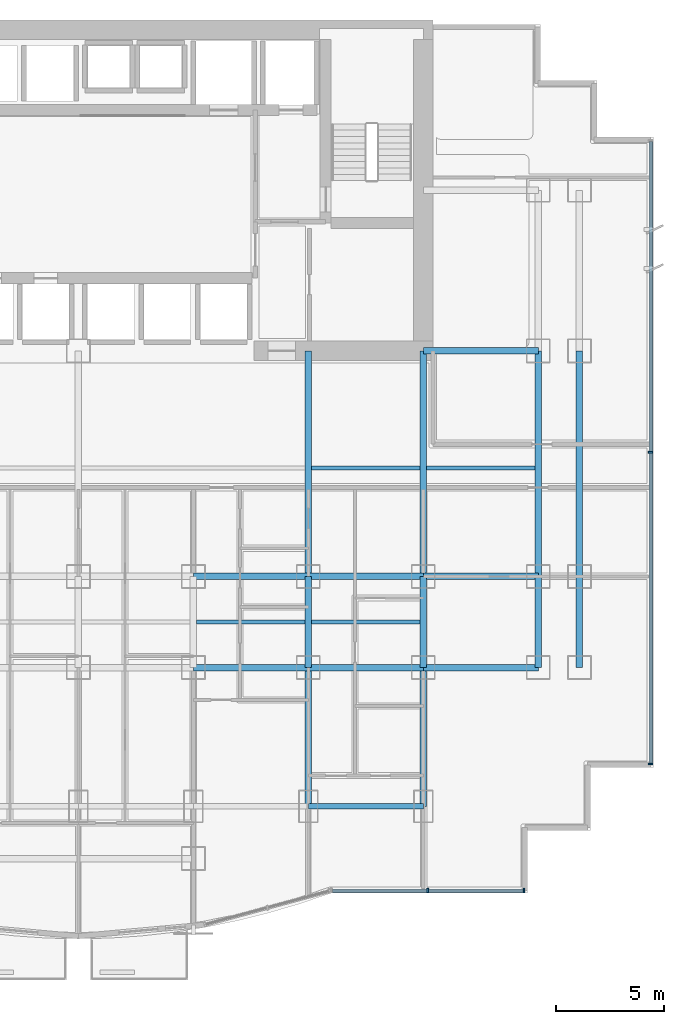
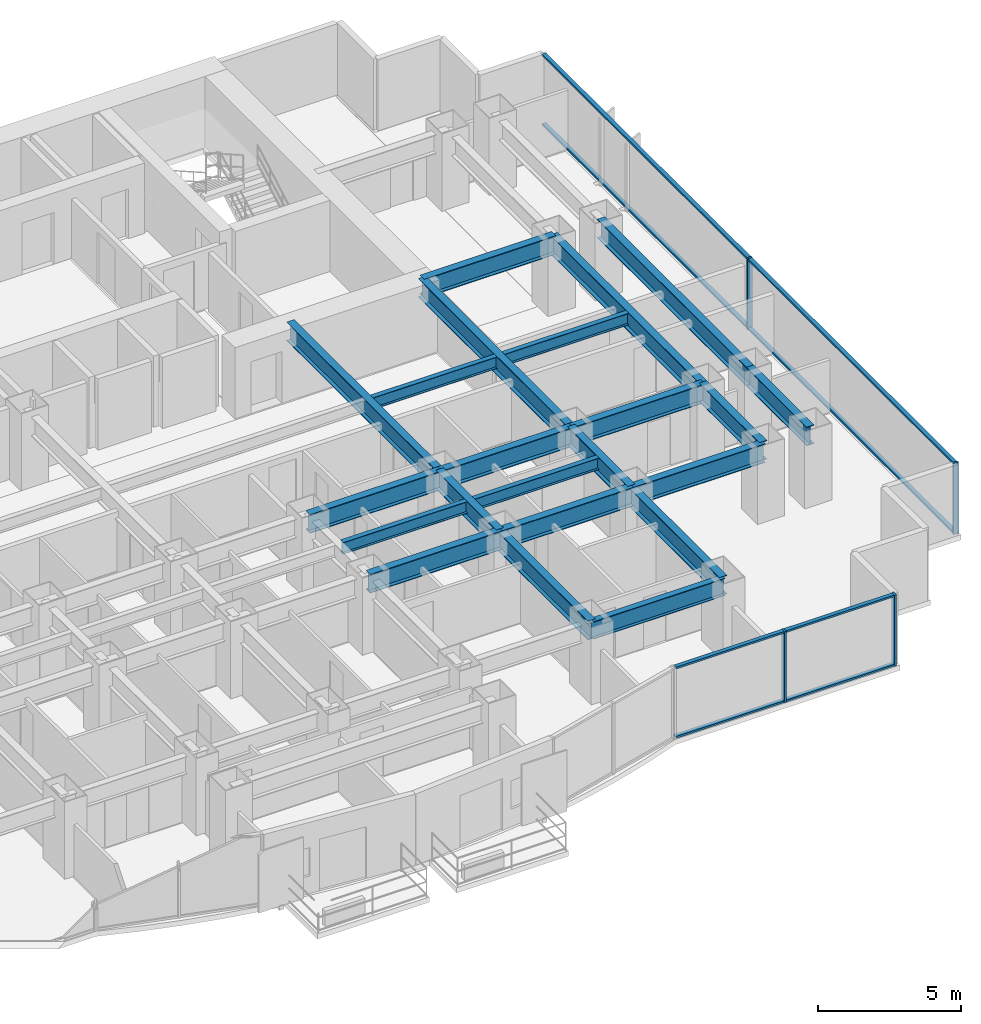
# One storey, part 3 of 12: 22 beams, 12 members, 2 elements without a shape of their own.
"""IFC4 building model written with IfcOpenShell, lengths in metres."""

from ifc_helpers import new_model, si_unit, direction, frame, origin, origin_2d, place, context, subcontext, project, spatial, rectangle, i_section, extrude, source, transform, mapped, material, layer, layer_set, material_profile, profile_set, type_object, element, aggregate, save


model = new_model("IFC4")

# Units and contexts
model_context = context("Model", 3, precision=1e-05, world=origin(), true_north=direction((0.0, 1.0)))
body_context = subcontext(model_context, "Body", "Model", "MODEL_VIEW")
ifc_project = project(units=[si_unit("LENGTHUNIT", "METRE"), si_unit("AREAUNIT", "SQUARE_METRE"), si_unit("VOLUMEUNIT", "CUBIC_METRE"), si_unit("PLANEANGLEUNIT", "RADIAN"), si_unit("MASSUNIT", "GRAM", prefix="KILO")], contexts=[model_context])

# Site, building, storey
site_placement = place(None, origin())
site = spatial("IfcSite", under=ifc_project, at=site_placement, CompositionType="ELEMENT")
building_placement = place(site_placement, origin())
building = spatial("IfcBuilding", under=site, at=building_placement, Name="Qianlan Lanfeng Residences", CompositionType="ELEMENT")
storey_placement = place(building_placement, frame((0.0, 0.0, 67.10009765625)))
storey = spatial("IfcBuildingStorey", under=building, at=storey_placement, Name="L18", CompositionType="ELEMENT", Elevation=67.10009765625)

# Beams
ifc_material_1 = material(Name="Steel SN490B", Category="steel")
ifc_material_profile_1 = material_profile(ifc_material_1, i_section(OverallWidth=0.300048828125, OverallDepth=0.800048828125, WebThickness=0.01611328125, FlangeThickness=0.028076171875, at=origin_2d()), Name="H 800x300x16x28")
ifc_profile_set_1 = profile_set([ifc_material_profile_1], Name="Steel SN490B")
beam_type_1 = type_object("IfcBeamType", Name="G-950", PredefinedType="BEAM", material=ifc_profile_set_1)
beam_1_placement = place(storey_placement, frame((31.800048828125, 10.60009765625, 2.6298828125), z_axis=(1.0, 0.0, 0.0), x_axis=(0.0, 1.0, 0.0)))
element("IfcBeam", 1, at=beam_1_placement, inside=storey, type_object=beam_type_1, Name="Structural beam G-950", PredefinedType="BEAM", context=body_context, shape_type="SweptSolid", body=[
    extrude(i_section(OverallWidth=0.300048828125, OverallDepth=0.800048828125, WebThickness=0.01611328125, FlangeThickness=0.028076171875, at=origin_2d()), origin(), (0.0, 0.0, 1.0), 5.300048828125),
])
beam_2_placement = place(storey_placement, frame((37.10009765625, 10.60009765625, 2.6298828125), z_axis=(1.0, 0.0, 0.0), x_axis=(0.0, 1.0, 0.0)))
element("IfcBeam", 2, at=beam_2_placement, inside=storey, type_object=beam_type_1, Name="Structural beam G-950", PredefinedType="BEAM", context=body_context, shape_type="SweptSolid", body=[
    extrude(i_section(OverallWidth=0.300048828125, OverallDepth=0.800048828125, WebThickness=0.01611328125, FlangeThickness=0.028076171875, at=origin_2d()), origin(), (0.0, 0.0, 1.0), 5.2998046875),
])
for number, where, z_axis, x_axis, name in (
    (3, (42.39990234375, 10.60009765625, 2.6298828125), (1.0, 0.0, 0.0), (0.0, 1.0, 0.0), "Structural beam G-950"),
    (4, (31.800048828125, 14.800048828125, 2.6298828125), (1.0, 0.0, 0.0), (0.0, 1.0, 0.0), "Structural beam G-950"),
):
    element("IfcBeam", number, at=place(storey_placement, frame(where, z_axis=z_axis, x_axis=x_axis)), inside=storey, type_object=beam_type_1, Name=name, PredefinedType="BEAM", context=body_context, shape_type="SweptSolid", body=[
        extrude(i_section(OverallWidth=0.300048828125, OverallDepth=0.800048828125, WebThickness=0.01611328125, FlangeThickness=0.028076171875, at=origin_2d()), origin(), (0.0, 0.0, 1.0), 5.300048828125),
    ])
beam_3_placement = place(storey_placement, frame((37.10009765625, 14.800048828125, 2.6298828125), z_axis=(1.0, 0.0, 0.0), x_axis=(0.0, 1.0, 0.0)))
element("IfcBeam", 5, at=beam_3_placement, inside=storey, type_object=beam_type_1, Name="Structural beam G-950", PredefinedType="BEAM", context=body_context, shape_type="SweptSolid", body=[
    extrude(i_section(OverallWidth=0.300048828125, OverallDepth=0.800048828125, WebThickness=0.01611328125, FlangeThickness=0.028076171875, at=origin_2d()), origin(), (0.0, 0.0, 1.0), 5.2998046875),
])
for number, where, z_axis, x_axis, name in (
    (6, (42.39990234375, 14.800048828125, 2.6298828125), (1.0, 0.0, 0.0), (0.0, 1.0, 0.0), "Structural beam G-950"),
    (7, (42.39990234375, 25.199951171875, 2.6298828125), (1.0, 0.0, 0.0), (0.0, 1.0, 0.0), "Structural beam G-950"),
):
    element("IfcBeam", number, at=place(storey_placement, frame(where, z_axis=z_axis, x_axis=x_axis)), inside=storey, type_object=beam_type_1, Name=name, PredefinedType="BEAM", context=body_context, shape_type="SweptSolid", body=[
        extrude(i_section(OverallWidth=0.300048828125, OverallDepth=0.800048828125, WebThickness=0.01611328125, FlangeThickness=0.028076171875, at=origin_2d()), origin(), (0.0, 0.0, 1.0), 5.300048828125),
    ])
beam_4_placement = place(storey_placement, frame((37.10009765625, 4.199951171875, 2.6298828125), z_axis=(0.0, 1.0, 0.0), x_axis=(-1.0, 0.0, 0.0)))
element("IfcBeam", 8, at=beam_4_placement, inside=storey, type_object=beam_type_1, Name="Structural beam G-950", PredefinedType="BEAM", context=body_context, shape_type="SweptSolid", body=[
    extrude(i_section(OverallWidth=0.300048828125, OverallDepth=0.800048828125, WebThickness=0.01611328125, FlangeThickness=0.028076171875, at=origin_2d()), origin(), (0.0, 0.0, 1.0), 6.400146484375),
])
beam_5_placement = place(storey_placement, frame((37.10009765625, 10.60009765625, 2.6298828125), z_axis=(0.0, 1.0, 0.0), x_axis=(-1.0, 0.0, 0.0)))
element("IfcBeam", 9, at=beam_5_placement, inside=storey, type_object=beam_type_1, Name="Structural beam G-950", PredefinedType="BEAM", context=body_context, shape_type="SweptSolid", body=[
    extrude(i_section(OverallWidth=0.300048828125, OverallDepth=0.800048828125, WebThickness=0.01611328125, FlangeThickness=0.028076171875, at=origin_2d()), origin(), (0.0, 0.0, 1.0), 4.199951171875),
])
beam_6_placement = place(storey_placement, frame((37.10009765625, 14.800048828125, 2.6298828125), z_axis=(0.0, 1.0, 0.0), x_axis=(-1.0, 0.0, 0.0)))
element("IfcBeam", 10, at=beam_6_placement, inside=storey, type_object=beam_type_1, Name="Structural beam G-950", PredefinedType="BEAM", context=body_context, shape_type="SweptSolid", body=[
    extrude(i_section(OverallWidth=0.300048828125, OverallDepth=0.800048828125, WebThickness=0.01611328125, FlangeThickness=0.028076171875, at=origin_2d()), origin(), (0.0, 0.0, 1.0), 10.39990234375),
])
beam_7_placement = place(storey_placement, frame((42.39990234375, 4.199951171875, 2.6298828125), z_axis=(0.0, 1.0, 0.0), x_axis=(-1.0, 0.0, 0.0)))
element("IfcBeam", 11, at=beam_7_placement, inside=storey, type_object=beam_type_1, Name="Structural beam G-950", PredefinedType="BEAM", context=body_context, shape_type="SweptSolid", body=[
    extrude(i_section(OverallWidth=0.300048828125, OverallDepth=0.800048828125, WebThickness=0.01611328125, FlangeThickness=0.028076171875, at=origin_2d()), origin(), (0.0, 0.0, 1.0), 6.400146484375),
])
beam_8_placement = place(storey_placement, frame((42.39990234375, 10.60009765625, 2.6298828125), z_axis=(0.0, 1.0, 0.0), x_axis=(-1.0, 0.0, 0.0)))
element("IfcBeam", 12, at=beam_8_placement, inside=storey, type_object=beam_type_1, Name="Structural beam G-950", PredefinedType="BEAM", context=body_context, shape_type="SweptSolid", body=[
    extrude(i_section(OverallWidth=0.300048828125, OverallDepth=0.800048828125, WebThickness=0.01611328125, FlangeThickness=0.028076171875, at=origin_2d()), origin(), (0.0, 0.0, 1.0), 4.199951171875),
])
beam_9_placement = place(storey_placement, frame((42.39990234375, 14.800048828125, 2.6298828125), z_axis=(0.0, 1.0, 0.0), x_axis=(-1.0, 0.0, 0.0)))
element("IfcBeam", 13, at=beam_9_placement, inside=storey, type_object=beam_type_1, Name="Structural beam G-950", PredefinedType="BEAM", context=body_context, shape_type="SweptSolid", body=[
    extrude(i_section(OverallWidth=0.300048828125, OverallDepth=0.800048828125, WebThickness=0.01611328125, FlangeThickness=0.028076171875, at=origin_2d()), origin(), (0.0, 0.0, 1.0), 10.39990234375),
])
beam_10_placement = place(storey_placement, frame((47.699951171875, 10.60009765625, 2.6298828125), z_axis=(0.0, 1.0, 0.0), x_axis=(-1.0, 0.0, 0.0)))
element("IfcBeam", 14, at=beam_10_placement, inside=storey, type_object=beam_type_1, Name="Structural beam G-950", PredefinedType="BEAM", context=body_context, shape_type="SweptSolid", body=[
    extrude(i_section(OverallWidth=0.300048828125, OverallDepth=0.800048828125, WebThickness=0.01611328125, FlangeThickness=0.028076171875, at=origin_2d()), origin(), (0.0, 0.0, 1.0), 4.199951171875),
])
beam_11_placement = place(storey_placement, frame((47.699951171875, 14.800048828125, 2.6298828125), z_axis=(0.0, 1.0, 0.0), x_axis=(-1.0, 0.0, 0.0)))
element("IfcBeam", 15, at=beam_11_placement, inside=storey, type_object=beam_type_1, Name="Structural beam G-950", PredefinedType="BEAM", context=body_context, shape_type="SweptSolid", body=[
    extrude(i_section(OverallWidth=0.300048828125, OverallDepth=0.800048828125, WebThickness=0.01611328125, FlangeThickness=0.028076171875, at=origin_2d()), origin(), (0.0, 0.0, 1.0), 10.39990234375),
])
beam_12_placement = place(storey_placement, frame((49.60009765625, 10.60009765625, 2.6298828125), z_axis=(0.0, 1.0, 0.0), x_axis=(-1.0, 0.0, 0.0)))
element("IfcBeam", 16, at=beam_12_placement, inside=storey, type_object=beam_type_1, Name="Structural beam G-950", PredefinedType="BEAM", context=body_context, shape_type="SweptSolid", body=[
    extrude(i_section(OverallWidth=0.300048828125, OverallDepth=0.800048828125, WebThickness=0.01611328125, FlangeThickness=0.028076171875, at=origin_2d()), origin(), (0.0, 0.0, 1.0), 4.199951171875),
])
beam_13_placement = place(storey_placement, frame((49.60009765625, 14.800048828125, 2.6298828125), z_axis=(0.0, 1.0, 0.0), x_axis=(-1.0, 0.0, 0.0)))
element("IfcBeam", 17, at=beam_13_placement, inside=storey, type_object=beam_type_1, Name="Structural beam G-950", PredefinedType="BEAM", context=body_context, shape_type="SweptSolid", body=[
    extrude(i_section(OverallWidth=0.300048828125, OverallDepth=0.800048828125, WebThickness=0.01611328125, FlangeThickness=0.028076171875, at=origin_2d()), origin(), (0.0, 0.0, 1.0), 10.39990234375),
])
ifc_material_profile_2 = material_profile(ifc_material_1, i_section(OverallWidth=0.199951171875, OverallDepth=0.5, WebThickness=0.010009765625, FlangeThickness=0.01611328125, at=origin_2d()), Name="H 500x200x10x16")
ifc_profile_set_2 = profile_set([ifc_material_profile_2], Name="Steel SN490B")
beam_type_2 = type_object("IfcBeamType", Name="J-500", PredefinedType="JOIST", material=ifc_profile_set_2)
for number, where, z_axis, x_axis, name in (
    (18, (31.949951171875, 12.699951171875, 2.77978515625), (1.0, 0.0, 0.0), (0.0, 1.0, 0.0), "Structural beam J-500"),
    (19, (37.25, 12.699951171875, 2.77978515625), (1.0, 0.0, 0.0), (0.0, 1.0, 0.0), "Structural beam J-500"),
    (20, (37.25, 19.800048828125, 2.77978515625), (1.0, 0.0, 0.0), (0.0, 1.0, 0.0), "Structural beam J-500"),
    (21, (42.550048828125, 19.800048828125, 2.77978515625), (1.0, 0.0, 0.0), (0.0, 1.0, 0.0), "Structural beam J-500"),
):
    element("IfcBeam", number, at=place(storey_placement, frame(where, z_axis=z_axis, x_axis=x_axis)), inside=storey, type_object=beam_type_2, Name=name, PredefinedType="JOIST", context=body_context, shape_type="SweptSolid", body=[
        extrude(i_section(OverallWidth=0.199951171875, OverallDepth=0.5, WebThickness=0.010009765625, FlangeThickness=0.01611328125, at=origin_2d()), origin(), (0.0, 0.0, 1.0), 5.0),
    ])
ifc_material_profile_3 = material_profile(ifc_material_1, i_section(OverallWidth=0.25, OverallDepth=0.75, WebThickness=0.013916015625, FlangeThickness=0.02490234375, at=origin_2d()), Name="H 750x250x14x25")
ifc_profile_set_3 = profile_set([ifc_material_profile_3], Name="Steel SN490B")
beam_type_3 = type_object("IfcBeamType", Name="SG-850", PredefinedType="SPANDREL", material=ifc_profile_set_3)
beam_14_placement = place(storey_placement, frame((37.10009765625, 4.199951171875, 2.65478515625), z_axis=(1.0, 0.0, 0.0), x_axis=(0.0, 1.0, 0.0)))
element("IfcBeam", 22, at=beam_14_placement, inside=storey, type_object=beam_type_3, Name="Structural beam SG-850", PredefinedType="SPANDREL", context=body_context, shape_type="SweptSolid", body=[
    extrude(i_section(OverallWidth=0.25, OverallDepth=0.75, WebThickness=0.013916015625, FlangeThickness=0.02490234375, at=origin_2d()), origin(), (0.0, 0.0, 1.0), 5.2998046875),
])

# Curtain wall, members
ifc_material_2 = material(Name="Anodised Bronze Aluminium 6063-T6", Category="aluminium")
ifc_layer = layer(ifc_material_2, 0.219970703125)
ifc_layer_set = layer_set([ifc_layer], Name="Anodised Bronze Aluminium 6063-T6")
curtain_wall_type = type_object("IfcCurtainWallType", Name="CW-02", PredefinedType="NOTDEFINED", material=ifc_layer_set)
curtain_wall_1_placement = place(storey_placement, origin())
curtain_wall_1 = element("IfcCurtainWall", 23, at=curtain_wall_1_placement, inside=storey, type_object=curtain_wall_type, Name="L18 Unitised Curtain Wall CWR-L18-04 (CW-02)", PredefinedType="NOTDEFINED")
ifc_material_profile_4 = material_profile(ifc_material_2, rectangle(XDim=0.080078125, YDim=0.159912109375, at=origin_2d()), Name="ALU TRANSOM 80x160")
ifc_profile_set_4 = profile_set([ifc_material_profile_4], Name="Anodised Bronze Aluminium 6063-T6")
member_type_1 = type_object("IfcMemberType", Name="CWT-180", PredefinedType="USERDEFINED", material=ifc_profile_set_4)
shared_shape_1 = source(origin(), body_context, "Body", "SweptSolid", [
    extrude(rectangle(XDim=0.080078125, YDim=0.159912109375, at=origin_2d()), origin(), (0.0, 0.0, 1.0), 4.35498046875),
])
member_1_placement = place(storey_placement, frame((38.2099609375, 0.320068359375, 0.039794921875), z_axis=(1.0, 0.0, 0.0), x_axis=(0.0, 0.0, 1.0)))
member_1 = element("IfcMember", 24, at=member_1_placement, type_object=member_type_1, Name="CWR-L18-04 Transom 1-BOT", ObjectType="TRANSOM", PredefinedType="USERDEFINED", context=body_context, shape_type="MappedRepresentation", body=[
    mapped(shared_shape_1, transform((0.0, 0.0, 0.0), scale=1.0)),
])
member_2_placement = place(storey_placement, frame((38.2099609375, 0.320068359375, 2.989990234375), z_axis=(1.0, 0.0, 0.0), x_axis=(0.0, 0.0, 1.0)))
member_2 = element("IfcMember", 25, at=member_2_placement, type_object=member_type_1, Name="CWR-L18-04 Transom 1-TOP", ObjectType="TRANSOM", PredefinedType="USERDEFINED", context=body_context, shape_type="MappedRepresentation", body=[
    mapped(shared_shape_1, transform((0.0, 0.0, 0.0), scale=1.0)),
])
member_3_placement = place(storey_placement, frame((42.64501953125, 0.320068359375, 0.039794921875), z_axis=(1.0, 0.0, 0.0), x_axis=(0.0, 0.0, 1.0)))
member_3 = element("IfcMember", 26, at=member_3_placement, type_object=member_type_1, Name="CWR-L18-04 Transom 2-BOT", ObjectType="TRANSOM", PredefinedType="USERDEFINED", context=body_context, shape_type="MappedRepresentation", body=[
    mapped(shared_shape_1, transform((0.0, 0.0, 0.0), scale=1.0)),
])
member_4_placement = place(storey_placement, frame((42.64501953125, 0.320068359375, 2.989990234375), z_axis=(1.0, 0.0, 0.0), x_axis=(0.0, 0.0, 1.0)))
member_4 = element("IfcMember", 27, at=member_4_placement, type_object=member_type_1, Name="CWR-L18-04 Transom 2-TOP", ObjectType="TRANSOM", PredefinedType="USERDEFINED", context=body_context, shape_type="MappedRepresentation", body=[
    mapped(shared_shape_1, transform((0.0, 0.0, 0.0), scale=1.0)),
])

curtain_wall_2_placement = place(storey_placement, origin())
curtain_wall_2 = element("IfcCurtainWall", 28, at=curtain_wall_2_placement, inside=storey, type_object=curtain_wall_type, Name="L18 Unitised Curtain Wall CWR-L18-05 (CW-02)", PredefinedType="NOTDEFINED")
shared_shape_2 = source(origin(), body_context, "Body", "SweptSolid", [
    extrude(rectangle(XDim=0.080078125, YDim=0.159912109375, at=origin_2d()), origin(), (0.0, 0.0, 1.0), 14.28515625),
])
member_5_placement = place(storey_placement, frame((52.8798828125, 6.199951171875, 0.039794921875), z_axis=(0.0, 1.0, 0.0), x_axis=(0.0, 0.0, 1.0)))
member_5 = element("IfcMember", 29, at=member_5_placement, type_object=member_type_1, Name="CWR-L18-05 Transom 1-BOT", ObjectType="TRANSOM", PredefinedType="USERDEFINED", context=body_context, shape_type="MappedRepresentation", body=[
    mapped(shared_shape_2, transform((0.0, 0.0, 0.0), scale=1.0)),
])
member_6_placement = place(storey_placement, frame((52.8798828125, 6.199951171875, 2.989990234375), z_axis=(0.0, 1.0, 0.0), x_axis=(0.0, 0.0, 1.0)))
member_6 = element("IfcMember", 30, at=member_6_placement, type_object=member_type_1, Name="CWR-L18-05 Transom 1-TOP", ObjectType="TRANSOM", PredefinedType="USERDEFINED", context=body_context, shape_type="MappedRepresentation", body=[
    mapped(shared_shape_2, transform((0.0, 0.0, 0.0), scale=1.0)),
])
member_7_placement = place(storey_placement, frame((52.8798828125, 20.56494140625, 0.039794921875), z_axis=(0.0, 1.0, 0.0), x_axis=(0.0, 0.0, 1.0)))
member_7 = element("IfcMember", 31, at=member_7_placement, type_object=member_type_1, Name="CWR-L18-05 Transom 2-BOT", ObjectType="TRANSOM", PredefinedType="USERDEFINED", context=body_context, shape_type="MappedRepresentation", body=[
    mapped(shared_shape_2, transform((0.0, 0.0, 0.0), scale=1.0)),
])
member_8_placement = place(storey_placement, frame((52.8798828125, 20.56494140625, 2.989990234375), z_axis=(0.0, 1.0, 0.0), x_axis=(0.0, 0.0, 1.0)))
member_8 = element("IfcMember", 32, at=member_8_placement, type_object=member_type_1, Name="CWR-L18-05 Transom 2-TOP", ObjectType="TRANSOM", PredefinedType="USERDEFINED", context=body_context, shape_type="MappedRepresentation", body=[
    mapped(shared_shape_2, transform((0.0, 0.0, 0.0), scale=1.0)),
])

# Member
ifc_material_profile_5 = material_profile(ifc_material_2, rectangle(XDim=0.080078125, YDim=0.2099609375, at=origin_2d()), Name="ALU MULLION 80x210")
ifc_profile_set_5 = profile_set([ifc_material_profile_5], Name="Anodised Bronze Aluminium 6063-T6")
member_type_2 = type_object("IfcMemberType", Name="CWM-220", PredefinedType="MULLION", material=ifc_profile_set_5)
shared_shape_3 = source(origin(), body_context, "Body", "SweptSolid", [
    extrude(rectangle(XDim=0.080078125, YDim=0.2099609375, at=origin_2d()), origin(), (0.0, 0.0, 1.0), 3.02978515625),
])
member_9_placement = place(storey_placement, frame((42.60498046875, 0.320068359375, 0.0), z_axis=(0.0, 0.0, 1.0), x_axis=(1.0, 0.0, 0.0)))
member_9 = element("IfcMember", 33, at=member_9_placement, type_object=member_type_2, Name="CWR-L18-04 Mullion 2", PredefinedType="MULLION", context=body_context, shape_type="MappedRepresentation", body=[
    mapped(shared_shape_3, transform((0.0, 0.0, 0.0), scale=1.0)),
])

member_10_placement = place(storey_placement, frame((47.0400390625, 0.320068359375, 0.0), z_axis=(0.0, 0.0, 1.0), x_axis=(1.0, 0.0, 0.0)))
member_10 = element("IfcMember", 34, at=member_10_placement, type_object=member_type_2, Name="CWR-L18-04 Mullion 3", PredefinedType="MULLION", context=body_context, shape_type="MappedRepresentation", body=[
    mapped(shared_shape_3, transform((0.0, 0.0, 0.0), scale=1.0)),
])

aggregate(curtain_wall_1, [member_9, member_10, member_1, member_2, member_3, member_4])

member_11_placement = place(storey_placement, frame((52.8798828125, 6.159912109375, 0.0), z_axis=(0.0, 0.0, 1.0), x_axis=(0.0, 1.0, 0.0)))
member_11 = element("IfcMember", 35, at=member_11_placement, type_object=member_type_2, Name="CWR-L18-05 Mullion 1", PredefinedType="MULLION", context=body_context, shape_type="MappedRepresentation", body=[
    mapped(shared_shape_3, transform((0.0, 0.0, 0.0), scale=1.0)),
])

member_12_placement = place(storey_placement, frame((52.8798828125, 20.52490234375, 0.0), z_axis=(0.0, 0.0, 1.0), x_axis=(0.0, 1.0, 0.0)))
member_12 = element("IfcMember", 36, at=member_12_placement, type_object=member_type_2, Name="CWR-L18-05 Mullion 2", PredefinedType="MULLION", context=body_context, shape_type="MappedRepresentation", body=[
    mapped(shared_shape_3, transform((0.0, 0.0, 0.0), scale=1.0)),
])

aggregate(curtain_wall_2, [member_11, member_12, member_5, member_6, member_7, member_8])

save(model, "model.ifc")
